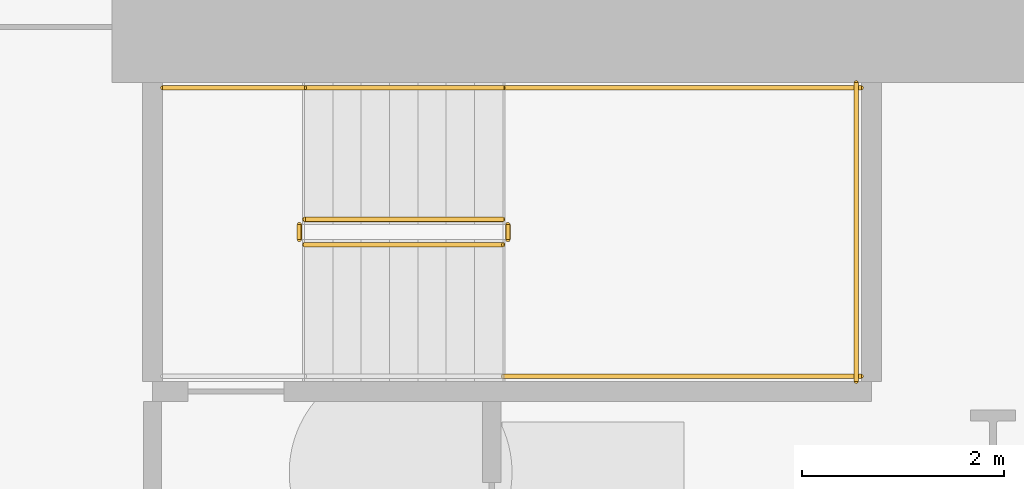
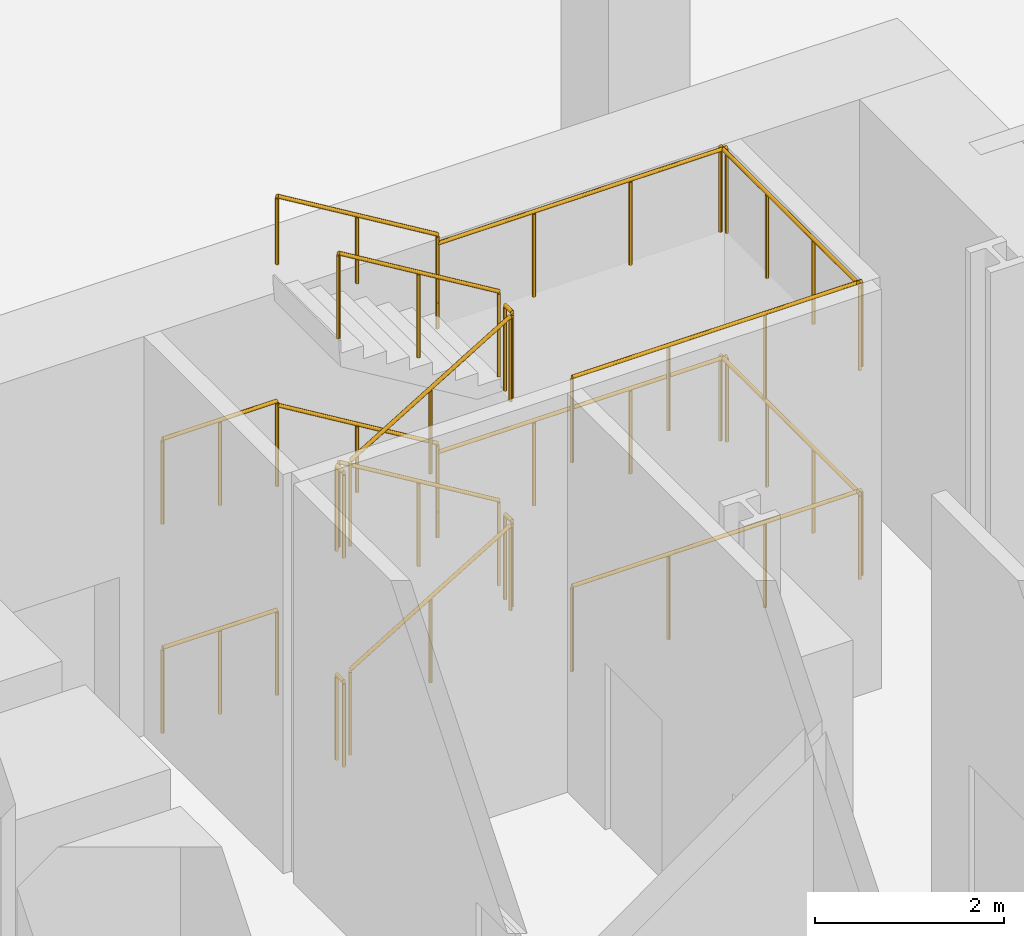
# One storey, part 13 of 16: 18 railings.
"""IFC4 building model written with IfcOpenShell, lengths in metres."""

from ifc_helpers import new_model, si_unit, direction, frame, origin, origin_2d, place, context, subcontext, project, spatial, circle, extrude, material, type_object, element, save


model = new_model("IFC4")

# Units and contexts
model_context = context("Model", 3, precision=1e-05, world=origin(), true_north=direction((0.0, 1.0)))
body_context = subcontext(model_context, "Body", "Model", "MODEL_VIEW")
ifc_project = project(units=[si_unit("LENGTHUNIT", "METRE"), si_unit("AREAUNIT", "SQUARE_METRE"), si_unit("VOLUMEUNIT", "CUBIC_METRE"), si_unit("PLANEANGLEUNIT", "RADIAN"), si_unit("MASSUNIT", "GRAM", prefix="KILO")], contexts=[model_context])

# Site, building, storey
site_placement = place(None, origin())
site = spatial("IfcSite", under=ifc_project, at=site_placement, CompositionType="ELEMENT")
building_placement = place(site_placement, origin())
building = spatial("IfcBuilding", under=site, at=building_placement, Name="Valkerne Bourse Tower", CompositionType="ELEMENT")
storey_placement = place(building_placement, frame((0.0, 0.0, -5.39990234375)))
storey = spatial("IfcBuildingStorey", under=building, at=storey_placement, Name="B1", CompositionType="ELEMENT", Elevation=-5.39990234375)

# Railings
ifc_material_1 = material(Name="Galvanised Painted Steel", Category="steel")
railing_type_1 = type_object("IfcRailingType", Name="RLG-ST-GUARD-1120", PredefinedType="GUARDRAIL", material=ifc_material_1)
railing_1_placement = place(storey_placement, frame((48.14990234375, 33.550048828125, 0.168701171875)))
element("IfcRailing", 1, at=railing_1_placement, inside=storey, type_object=railing_type_1, Name="B1 ST-2 stair guard 1", PredefinedType="GUARDRAIL", context=body_context, shape_type="SweptSolid", body=[
    extrude(circle(Radius=0.02392578125, at=origin_2d()), frame((0.0, 0.0, 1.09619140625), z_axis=(0.856521883693, 0.0, 0.516110707847), x_axis=(0.0, 1.0, 0.0)), (0.0, 0.0, 1.0), 2.28857421875),
    extrude(circle(Radius=0.02099609375, at=origin_2d()), origin(), (0.0, 0.0, 1.0), 1.072021484375),
    extrude(circle(Radius=0.02099609375, at=origin_2d()), frame((0.97998046875, 0.0, 0.590576171875)), (0.0, 0.0, 1.0), 1.072021484375),
    extrude(circle(Radius=0.02099609375, at=origin_2d()), frame((1.960205078125, 0.0, 1.18115234375)), (0.0, 0.0, 1.0), 1.072021484375),
])
railing_2_placement = place(storey_placement, frame((50.159912109375, 33.60009765625, 1.349853515625)))
element("IfcRailing", 2, at=railing_2_placement, inside=storey, type_object=railing_type_1, Name="B1 ST-2 stair guard 2", PredefinedType="GUARDRAIL", context=body_context, shape_type="SweptSolid", body=[
    extrude(circle(Radius=0.02392578125, at=origin_2d()), frame((0.0, 0.0, 1.09619140625), z_axis=(0.0, 1.0, 0.0), x_axis=(-1.0, 0.0, 0.0)), (0.0, 0.0, 1.0), 0.14990234375),
    extrude(circle(Radius=0.02099609375, at=origin_2d()), origin(), (0.0, 0.0, 1.0), 1.072021484375),
    extrude(circle(Radius=0.02099609375, at=origin_2d()), frame((0.0, 0.14990234375, 0.0)), (0.0, 0.0, 1.0), 1.072021484375),
])
for number, where, name in (
    (3, (50.110107421875, 32.25, 1.349853515625), "B1 ST-2 stair guard 3"),
    (4, (50.110107421875, 35.10009765625, 1.349853515625), "B1 ST-2 stair guard 4"),
):
    element("IfcRailing", number, at=place(storey_placement, frame(where)), inside=storey, type_object=railing_type_1, Name=name, PredefinedType="GUARDRAIL", context=body_context, shape_type="SweptSolid", body=[
        extrude(circle(Radius=0.02392578125, at=origin_2d()), frame((0.0, 0.0, 1.09619140625), z_axis=(1.0, 0.0, 0.0), x_axis=(0.0, 1.0, 0.0)), (0.0, 0.0, 1.0), 3.539794921875),
        extrude(circle(Radius=0.02099609375, at=origin_2d()), origin(), (0.0, 0.0, 1.0), 1.072021484375),
        extrude(circle(Radius=0.02099609375, at=origin_2d()), frame((1.179931640625, 0.0, 0.0)), (0.0, 0.0, 1.0), 1.072021484375),
        extrude(circle(Radius=0.02099609375, at=origin_2d()), frame((2.35986328125, 0.0, 0.0)), (0.0, 0.0, 1.0), 1.072021484375),
        extrude(circle(Radius=0.02099609375, at=origin_2d()), frame((3.539794921875, 0.0, 0.0)), (0.0, 0.0, 1.0), 1.072021484375),
    ])
railing_3_placement = place(storey_placement, frame((53.60009765625, 32.199951171875, 1.349853515625)))
element("IfcRailing", 5, at=railing_3_placement, inside=storey, type_object=railing_type_1, Name="B1 ST-2 stair guard 5", PredefinedType="GUARDRAIL", context=body_context, shape_type="SweptSolid", body=[
    extrude(circle(Radius=0.02392578125, at=origin_2d()), frame((0.0, 0.0, 1.09619140625), z_axis=(0.0, 1.0, 0.0), x_axis=(-1.0, 0.0, 0.0)), (0.0, 0.0, 1.0), 2.949951171875),
    extrude(circle(Radius=0.02099609375, at=origin_2d()), origin(), (0.0, 0.0, 1.0), 1.072021484375),
    extrude(circle(Radius=0.02099609375, at=origin_2d()), frame((0.0, 0.9833984375, 0.0)), (0.0, 0.0, 1.0), 1.072021484375),
    extrude(circle(Radius=0.02099609375, at=origin_2d()), frame((0.0, 1.966552734375, 0.0)), (0.0, 0.0, 1.0), 1.072021484375),
    extrude(circle(Radius=0.02099609375, at=origin_2d()), frame((0.0, 2.949951171875, 0.0)), (0.0, 0.0, 1.0), 1.072021484375),
])
railing_4_placement = place(storey_placement, frame((50.110107421875, 33.800048828125, 1.5185546875)))
element("IfcRailing", 6, at=railing_4_placement, inside=storey, type_object=railing_type_1, Name="B1 ST-2 stair guard 6", PredefinedType="GUARDRAIL", context=body_context, shape_type="SweptSolid", body=[
    extrude(circle(Radius=0.02392578125, at=origin_2d()), frame((0.0, 0.0, 1.09619140625), z_axis=(-0.856474724393, 0.0, 0.516188963923), x_axis=(0.0, -1.0, 0.0)), (0.0, 0.0, 1.0), 2.28857421875),
    extrude(circle(Radius=0.02099609375, at=origin_2d()), origin(), (0.0, 0.0, 1.0), 1.072021484375),
    extrude(circle(Radius=0.02099609375, at=origin_2d()), frame((-0.97998046875, 0.0, 0.5908203125)), (0.0, 0.0, 1.0), 1.072021484375),
    extrude(circle(Radius=0.02099609375, at=origin_2d()), frame((-1.960205078125, 0.0, 1.181396484375)), (0.0, 0.0, 1.0), 1.072021484375),
])
railing_5_placement = place(storey_placement, frame((48.10009765625, 33.60009765625, 2.699951171875)))
element("IfcRailing", 7, at=railing_5_placement, inside=storey, type_object=railing_type_1, Name="B1 ST-2 stair guard 7", PredefinedType="GUARDRAIL", context=body_context, shape_type="SweptSolid", body=[
    extrude(circle(Radius=0.02392578125, at=origin_2d()), frame((0.0, 0.0, 1.09619140625), z_axis=(0.0, 1.0, 0.0), x_axis=(-1.0, 0.0, 0.0)), (0.0, 0.0, 1.0), 0.14990234375),
    extrude(circle(Radius=0.02099609375, at=origin_2d()), origin(), (0.0, 0.0, 1.0), 1.072021484375),
    extrude(circle(Radius=0.02099609375, at=origin_2d()), frame((0.0, 0.14990234375, 0.0)), (0.0, 0.0, 1.0), 1.072021484375),
])
railing_6_placement = place(storey_placement, frame((46.75, 35.10009765625, 2.699951171875)))
element("IfcRailing", 8, at=railing_6_placement, inside=storey, type_object=railing_type_1, Name="B1 ST-2 stair guard 9", PredefinedType="GUARDRAIL", context=body_context, shape_type="SweptSolid", body=[
    extrude(circle(Radius=0.02392578125, at=origin_2d()), frame((0.0, 0.0, 1.09619140625), z_axis=(1.0, 0.0, 0.0), x_axis=(0.0, 1.0, 0.0)), (0.0, 0.0, 1.0), 1.39990234375),
    extrude(circle(Radius=0.02099609375, at=origin_2d()), origin(), (0.0, 0.0, 1.0), 1.072021484375),
    extrude(circle(Radius=0.02099609375, at=origin_2d()), frame((0.699951171875, 0.0, 0.0)), (0.0, 0.0, 1.0), 1.072021484375),
    extrude(circle(Radius=0.02099609375, at=origin_2d()), frame((1.39990234375, 0.0, 0.0)), (0.0, 0.0, 1.0), 1.072021484375),
])
railing_7_placement = place(storey_placement, frame((48.14990234375, 33.550048828125, 2.86865234375)))
element("IfcRailing", 9, at=railing_7_placement, inside=storey, type_object=railing_type_1, Name="B1 ST-2 stair guard 10", PredefinedType="GUARDRAIL", context=body_context, shape_type="SweptSolid", body=[
    extrude(circle(Radius=0.02392578125, at=origin_2d()), frame((0.0, 0.0, 1.09619140625), z_axis=(0.856521883693, 0.0, 0.516110707847), x_axis=(0.0, 1.0, 0.0)), (0.0, 0.0, 1.0), 2.28857421875),
    extrude(circle(Radius=0.02099609375, at=origin_2d()), origin(), (0.0, 0.0, 1.0), 1.072021484375),
    extrude(circle(Radius=0.02099609375, at=origin_2d()), frame((0.97998046875, 0.0, 0.590576171875)), (0.0, 0.0, 1.0), 1.072021484375),
    extrude(circle(Radius=0.02099609375, at=origin_2d()), frame((1.960205078125, 0.0, 1.18115234375)), (0.0, 0.0, 1.0), 1.072021484375),
])
railing_8_placement = place(storey_placement, frame((50.159912109375, 33.60009765625, 4.0498046875)))
element("IfcRailing", 10, at=railing_8_placement, inside=storey, type_object=railing_type_1, Name="B1 ST-2 stair guard 11", PredefinedType="GUARDRAIL", context=body_context, shape_type="SweptSolid", body=[
    extrude(circle(Radius=0.02392578125, at=origin_2d()), frame((0.0, 0.0, 1.09619140625), z_axis=(0.0, 1.0, 0.0), x_axis=(-1.0, 0.0, 0.0)), (0.0, 0.0, 1.0), 0.14990234375),
    extrude(circle(Radius=0.02099609375, at=origin_2d()), origin(), (0.0, 0.0, 1.0), 1.072021484375),
    extrude(circle(Radius=0.02099609375, at=origin_2d()), frame((0.0, 0.14990234375, 0.0)), (0.0, 0.0, 1.0), 1.072021484375),
])
for number, where, name in (
    (11, (50.110107421875, 32.25, 4.0498046875), "B1 ST-2 stair guard 12"),
    (12, (50.110107421875, 35.10009765625, 4.0498046875), "B1 ST-2 stair guard 13"),
):
    element("IfcRailing", number, at=place(storey_placement, frame(where)), inside=storey, type_object=railing_type_1, Name=name, PredefinedType="GUARDRAIL", context=body_context, shape_type="SweptSolid", body=[
        extrude(circle(Radius=0.02392578125, at=origin_2d()), frame((0.0, 0.0, 1.09619140625), z_axis=(1.0, 0.0, 0.0), x_axis=(0.0, 1.0, 0.0)), (0.0, 0.0, 1.0), 3.539794921875),
        extrude(circle(Radius=0.02099609375, at=origin_2d()), origin(), (0.0, 0.0, 1.0), 1.072021484375),
        extrude(circle(Radius=0.02099609375, at=origin_2d()), frame((1.179931640625, 0.0, 0.0)), (0.0, 0.0, 1.0), 1.072021484375),
        extrude(circle(Radius=0.02099609375, at=origin_2d()), frame((2.35986328125, 0.0, 0.0)), (0.0, 0.0, 1.0), 1.072021484375),
        extrude(circle(Radius=0.02099609375, at=origin_2d()), frame((3.539794921875, 0.0, 0.0)), (0.0, 0.0, 1.0), 1.072021484375),
    ])
railing_9_placement = place(storey_placement, frame((53.60009765625, 32.199951171875, 4.0498046875)))
element("IfcRailing", 13, at=railing_9_placement, inside=storey, type_object=railing_type_1, Name="B1 ST-2 stair guard 14", PredefinedType="GUARDRAIL", context=body_context, shape_type="SweptSolid", body=[
    extrude(circle(Radius=0.02392578125, at=origin_2d()), frame((0.0, 0.0, 1.09619140625), z_axis=(0.0, 1.0, 0.0), x_axis=(-1.0, 0.0, 0.0)), (0.0, 0.0, 1.0), 2.949951171875),
    extrude(circle(Radius=0.02099609375, at=origin_2d()), origin(), (0.0, 0.0, 1.0), 1.072021484375),
    extrude(circle(Radius=0.02099609375, at=origin_2d()), frame((0.0, 0.9833984375, 0.0)), (0.0, 0.0, 1.0), 1.072021484375),
    extrude(circle(Radius=0.02099609375, at=origin_2d()), frame((0.0, 1.966552734375, 0.0)), (0.0, 0.0, 1.0), 1.072021484375),
    extrude(circle(Radius=0.02099609375, at=origin_2d()), frame((0.0, 2.949951171875, 0.0)), (0.0, 0.0, 1.0), 1.072021484375),
])
railing_10_placement = place(storey_placement, frame((50.110107421875, 33.800048828125, 4.21875)))
element("IfcRailing", 14, at=railing_10_placement, inside=storey, type_object=railing_type_1, Name="B1 ST-2 stair guard 15", PredefinedType="GUARDRAIL", context=body_context, shape_type="SweptSolid", body=[
    extrude(circle(Radius=0.02392578125, at=origin_2d()), frame((0.0, 0.0, 1.09619140625), z_axis=(-0.856521883693, 0.0, 0.516110707847), x_axis=(0.0, -1.0, 0.0)), (0.0, 0.0, 1.0), 2.28857421875),
    extrude(circle(Radius=0.02099609375, at=origin_2d()), origin(), (0.0, 0.0, 1.0), 1.072021484375),
    extrude(circle(Radius=0.02099609375, at=origin_2d()), frame((-0.97998046875, 0.0, 0.590576171875)), (0.0, 0.0, 1.0), 1.072021484375),
    extrude(circle(Radius=0.02099609375, at=origin_2d()), frame((-1.960205078125, 0.0, 1.18115234375)), (0.0, 0.0, 1.0), 1.072021484375),
])
railing_11_placement = place(storey_placement, frame((48.10009765625, 33.60009765625, 0.0)))
element("IfcRailing", 15, at=railing_11_placement, inside=storey, type_object=railing_type_1, Name="B1 ST-2 stair guard 16", PredefinedType="GUARDRAIL", context=body_context, shape_type="SweptSolid", body=[
    extrude(circle(Radius=0.02392578125, at=origin_2d()), frame((0.0, 0.0, 1.09619140625), z_axis=(0.0, 1.0, 0.0), x_axis=(-1.0, 0.0, 0.0)), (0.0, 0.0, 1.0), 0.14990234375),
    extrude(circle(Radius=0.02099609375, at=origin_2d()), origin(), (0.0, 0.0, 1.0), 1.072021484375),
    extrude(circle(Radius=0.02099609375, at=origin_2d()), frame((0.0, 0.14990234375, 0.0)), (0.0, 0.0, 1.0), 1.072021484375),
])
railing_12_placement = place(storey_placement, frame((46.75, 35.10009765625, 0.0)))
element("IfcRailing", 16, at=railing_12_placement, inside=storey, type_object=railing_type_1, Name="B1 ST-2 stair guard 18", PredefinedType="GUARDRAIL", context=body_context, shape_type="SweptSolid", body=[
    extrude(circle(Radius=0.02392578125, at=origin_2d()), frame((0.0, 0.0, 1.09619140625), z_axis=(1.0, 0.0, 0.0), x_axis=(0.0, 1.0, 0.0)), (0.0, 0.0, 1.0), 1.39990234375),
    extrude(circle(Radius=0.02099609375, at=origin_2d()), origin(), (0.0, 0.0, 1.0), 1.072021484375),
    extrude(circle(Radius=0.02099609375, at=origin_2d()), frame((0.699951171875, 0.0, 0.0)), (0.0, 0.0, 1.0), 1.072021484375),
    extrude(circle(Radius=0.02099609375, at=origin_2d()), frame((1.39990234375, 0.0, 0.0)), (0.0, 0.0, 1.0), 1.072021484375),
])
ifc_material_2 = material(Name="Stainless Steel AISI 316", Category="steel")
railing_type_2 = type_object("IfcRailingType", Name="RLG-ST-HANDRAIL-900", PredefinedType="HANDRAIL", material=ifc_material_2)
for number, where, name in (
    (17, (50.110107421875, 35.10009765625, 1.6875), "B1 ST-2 stair handrail 2"),
    (18, (50.110107421875, 35.10009765625, 4.387451171875), "B1 ST-2 stair handrail 4"),
):
    element("IfcRailing", number, at=place(storey_placement, frame(where)), inside=storey, type_object=railing_type_2, Name=name, PredefinedType="HANDRAIL", context=body_context, shape_type="SweptSolid", body=[
        extrude(circle(Radius=0.02392578125, at=origin_2d()), frame((0.0, 0.0, 0.8759765625), z_axis=(-0.856521883693, 0.0, 0.516110707847), x_axis=(0.0, -1.0, 0.0)), (0.0, 0.0, 1.0), 2.28857421875),
        extrude(circle(Radius=0.02099609375, at=origin_2d()), origin(), (0.0, 0.0, 1.0), 0.851806640625),
        extrude(circle(Radius=0.02099609375, at=origin_2d()), frame((-0.97998046875, 0.0, 0.590576171875)), (0.0, 0.0, 1.0), 0.851806640625),
        extrude(circle(Radius=0.02099609375, at=origin_2d()), frame((-1.960205078125, 0.0, 1.18115234375)), (0.0, 0.0, 1.0), 0.851806640625),
    ])

save(model, "model.ifc")
